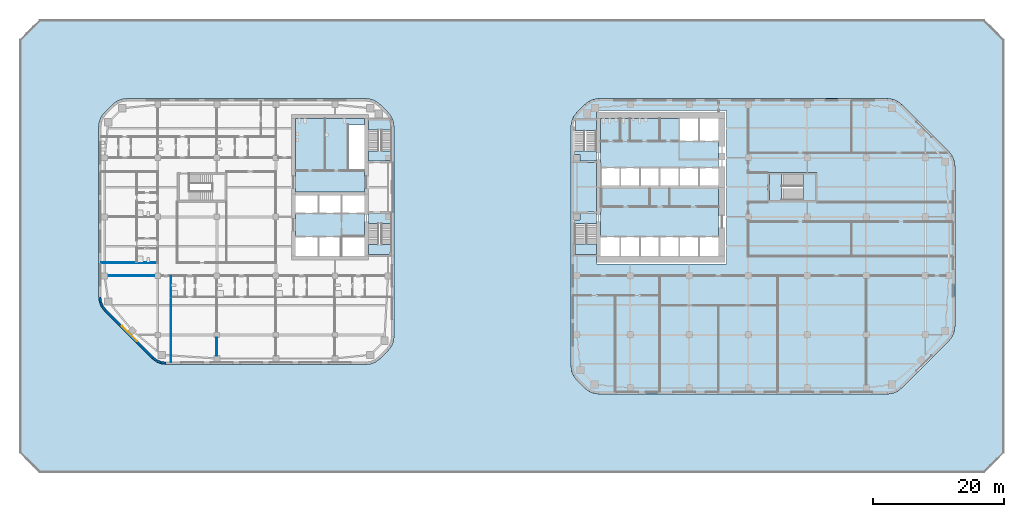
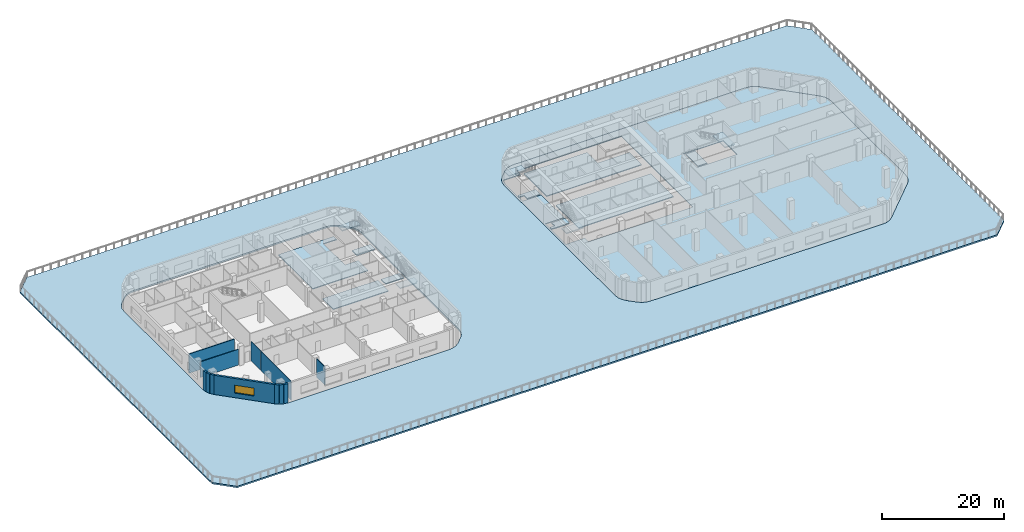
# One storey, part 4 of 18: 16 slabs, 12 walls, 1 window, 1 opening, 5 elements without a shape of their own.
"""IFC4 building model written with IfcOpenShell, lengths in metres."""

from ifc_helpers import new_model, si_unit, direction, frame, frame_2d, origin, place, context, subcontext, project, spatial, polyline, rectangle, outline, extrude, material, layer, layer_set, type_object, element, fill, aggregate, save


model = new_model("IFC4")

# Units and contexts
model_context = context("Model", 3, precision=1e-05, world=origin(), true_north=direction((0.0, 1.0)))
body_context = subcontext(model_context, "Body", "Model", "MODEL_VIEW")
ifc_project = project(units=[si_unit("LENGTHUNIT", "METRE"), si_unit("AREAUNIT", "SQUARE_METRE"), si_unit("VOLUMEUNIT", "CUBIC_METRE"), si_unit("PLANEANGLEUNIT", "RADIAN"), si_unit("MASSUNIT", "GRAM", prefix="KILO")], contexts=[model_context])

# Site, building, storey
site_placement = place(None, origin())
site = spatial("IfcSite", under=ifc_project, at=site_placement, CompositionType="ELEMENT")
building_placement = place(site_placement, origin())
building = spatial("IfcBuilding", under=site, at=building_placement, Name="Cinnabar Reach Civic Tower", CompositionType="ELEMENT")
storey_placement = place(building_placement, frame((0.0, 0.0, 26.0)))
storey = spatial("IfcBuildingStorey", under=building, at=storey_placement, Name="L05", CompositionType="ELEMENT", Elevation=26.0)

# Slab
ifc_material_1 = material(Name="Concrete C40", Category="concrete")
ifc_layer_1 = layer(ifc_material_1, 0.15)
ifc_layer_set_1 = layer_set([ifc_layer_1], Name="Composite floor slab 150 REI 150")
slab_type_1 = type_object("IfcSlabType", Name="Composite floor slab 150 REI 150", PredefinedType="FLOOR", material=ifc_layer_set_1)
slab_1_placement = place(storey_placement, frame((0.0, 0.0, -0.15)))
element("IfcSlab", 1, at=slab_1_placement, inside=storey, type_object=slab_type_1, Name="Composite floor slab 150 T1 L05", PredefinedType="FLOOR", context=body_context, shape_type="SweptSolid", body=[
    extrude(outline(polyline([(0.8787, 2.1213), (0.4019, 2.7426), (0.1022, 3.4662), (0.0, 4.2426), (0.0, 40.7574), (0.1022, 41.5338), (0.4019, 42.2574), (0.8787, 42.8787), (2.1213, 44.1213), (2.7426, 44.5981), (3.4662, 44.8978), (4.2426, 45.0), (48.2574, 45.0), (49.0338, 44.8978), (49.7574, 44.5981), (50.3787, 44.1213), (57.6213, 36.8787), (58.0981, 36.2574), (58.3978, 35.5338), (58.5, 34.7574), (58.5, 10.2426), (58.3978, 9.4662), (58.0981, 8.7426), (57.6213, 8.1213), (50.3787, 0.8787), (49.7574, 0.4019), (49.0338, 0.1022), (48.2574, 0.0), (4.2426, 0.0), (3.4662, 0.1022), (2.7426, 0.4019), (2.1213, 0.8787), (0.8787, 2.1213)]), holes=[polyline([(0.36, 21.0), (3.9, 21.0), (3.9, 19.8), (23.7, 19.8), (23.7, 43.2), (3.9, 43.2), (3.9, 42.0), (0.685, 42.0), (0.453, 41.4398), (0.36, 40.7338), (0.36, 35.25), (3.9, 35.25), (3.9, 27.75), (0.36, 27.75), (0.36, 21.0)]), polyline([(30.0, 33.75), (30.0, 29.25), (37.5, 29.25), (37.5, 33.75), (30.0, 33.75)])]), origin(), (0.0, 0.0, 1.0), 0.15),
])

# Stair, slabs
ifc_material_2 = material(Name="Concrete C40/50", Category="concrete")
stair_type_1 = type_object("IfcStairType", Name="T1 Exit stair, half-turn", PredefinedType="HALF_TURN_STAIR", material=ifc_material_2)
stair_1_placement = place(storey_placement, origin())
stair_1 = element("IfcStair", 2, at=stair_1_placement, inside=storey, type_object=stair_type_1, Name="Stair T1-S1", PredefinedType="HALF_TURN_STAIR")
ifc_layer_2 = layer(ifc_material_2, 0.2)
ifc_layer_set_2 = layer_set([ifc_layer_2], Name="T1 Stair landing 200, Concrete C40/50")
slab_type_2 = type_object("IfcSlabType", Name="T1 Stair landing 200, Concrete C40/50", PredefinedType="LANDING", material=ifc_layer_set_2)
slab_2_placement = place(storey_placement, frame((0.0, 0.0, -0.2)))
slab_2 = element("IfcSlab", 3, at=slab_2_placement, type_object=slab_type_2, Name="T1-S1 landing 1", PredefinedType="LANDING", context=body_context, shape_type="SweptSolid", body=[
    extrude(outline(polyline([(3.9, 27.5), (3.9, 25.95), (0.5, 25.95), (0.5, 26.5), (1.4, 26.5), (1.4, 27.5), (3.9, 27.5)])), origin(), (0.0, 0.0, 1.0), 0.2),
])
slab_3_placement = place(storey_placement, frame((0.0, 0.0, 1.8)))
slab_3 = element("IfcSlab", 4, at=slab_3_placement, type_object=slab_type_2, Name="T1-S1 landing 2", PredefinedType="LANDING", context=body_context, shape_type="SweptSolid", body=[
    extrude(outline(polyline([(0.6, 21.25), (0.6, 22.87), (3.9, 22.87), (3.9, 21.25), (0.6, 21.25)])), origin(), (0.0, 0.0, 1.0), 0.2),
])
aggregate(stair_1, [slab_2, slab_3])

stair_2_placement = place(storey_placement, origin())
stair_2 = element("IfcStair", 5, at=stair_2_placement, inside=storey, type_object=stair_type_1, Name="Stair T1-S2", PredefinedType="HALF_TURN_STAIR")
slab_4_placement = place(storey_placement, frame((0.0, 0.0, -0.2)))
slab_4 = element("IfcSlab", 6, at=slab_4_placement, type_object=slab_type_2, Name="T1-S2 landing 1", PredefinedType="LANDING", context=body_context, shape_type="SweptSolid", body=[
    extrude(outline(polyline([(0.5, 37.05), (3.9, 37.05), (3.9, 35.5), (1.4, 35.5), (1.4, 36.5), (0.5, 36.5), (0.5, 37.05)])), origin(), (0.0, 0.0, 1.0), 0.2),
])
slab_5_placement = place(storey_placement, frame((0.0, 0.0, 1.8)))
slab_5 = element("IfcSlab", 7, at=slab_5_placement, type_object=slab_type_2, Name="T1-S2 landing 2", PredefinedType="LANDING", context=body_context, shape_type="SweptSolid", body=[
    extrude(outline(polyline([(0.6, 40.13), (0.6, 41.75), (3.9, 41.75), (3.9, 40.13), (0.6, 40.13)])), origin(), (0.0, 0.0, 1.0), 0.2),
])
aggregate(stair_2, [slab_4, slab_5])

stair_3_placement = place(storey_placement, origin())
stair_3 = element("IfcStair", 8, at=stair_3_placement, inside=storey, type_object=stair_type_1, Name="Stair T1-S3", PredefinedType="HALF_TURN_STAIR")
slab_6_placement = place(storey_placement, frame((0.0, 0.0, -0.2)))
slab_6 = element("IfcSlab", 9, at=slab_6_placement, type_object=slab_type_2, Name="T1-S3 landing 1", PredefinedType="LANDING", context=body_context, shape_type="SweptSolid", body=[
    extrude(outline(polyline([(30.25, 29.5), (32.05, 29.5), (32.05, 33.5), (30.25, 33.5), (30.25, 29.5)])), origin(), (0.0, 0.0, 1.0), 0.2),
])
slab_7_placement = place(storey_placement, frame((0.0, 0.0, 1.8)))
slab_7 = element("IfcSlab", 10, at=slab_7_placement, type_object=slab_type_2, Name="T1-S3 landing 2", PredefinedType="LANDING", context=body_context, shape_type="SweptSolid", body=[
    extrude(outline(polyline([(35.35, 29.5), (37.25, 29.5), (37.25, 33.5), (35.35, 33.5), (35.35, 29.5)])), origin(), (0.0, 0.0, 1.0), 0.2),
])
aggregate(stair_3, [slab_6, slab_7])

# Slabs
ifc_layer_3 = layer(ifc_material_2, 0.15)
ifc_layer_set_3 = layer_set([ifc_layer_3], Name="T1 core floor slab 150")
slab_type_3 = type_object("IfcSlabType", Name="T1 core floor slab 150", PredefinedType="FLOOR", material=ifc_layer_set_3)
slab_8_placement = place(storey_placement, frame((0.0, 0.0, -0.15)))
element("IfcSlab", 11, at=slab_8_placement, inside=storey, type_object=slab_type_3, Name="Core floor slab L05", PredefinedType="FLOOR", context=body_context, shape_type="SweptSolid", body=[
    extrude(outline(polyline([(22.5, 24.0), (19.5, 24.0), (16.5, 24.0), (13.5, 24.0), (10.5, 24.0), (7.5, 24.0), (4.5, 24.0), (4.5, 31.5), (7.5, 31.5), (10.5, 31.5), (13.5, 31.5), (16.5, 31.5), (19.5, 31.5), (22.5, 31.5), (22.5, 24.0)])), origin(), (0.0, 0.0, 1.0), 0.15),
])
slab_9_placement = place(storey_placement, frame((0.0, 0.0, -0.15)))
element("IfcSlab", 12, at=slab_9_placement, inside=storey, type_object=slab_type_3, Name="Core floor slab L05", PredefinedType="FLOOR", context=body_context, shape_type="SweptSolid", body=[
    extrude(outline(polyline([(22.5, 34.5), (19.5, 34.5), (16.5, 34.5), (13.5, 34.5), (10.5, 34.5), (7.5, 34.5), (4.5, 34.5), (4.5, 42.0), (16.5, 42.0), (16.5, 38.5), (19.5, 38.5), (22.5, 38.5), (22.5, 34.5)])), origin(), (0.0, 0.0, 1.0), 0.15),
])
ifc_layer_4 = layer(ifc_material_1, 0.15)
ifc_layer_set_4 = layer_set([ifc_layer_4], Name="T2 Core floor slab 150")
slab_type_4 = type_object("IfcSlabType", Name="T2 Core floor slab 150", PredefinedType="FLOOR", material=ifc_layer_set_4)
slab_10_placement = place(storey_placement, frame((0.0, 0.0, -0.15)))
element("IfcSlab", 13, at=slab_10_placement, inside=storey, type_object=slab_type_4, Name="Core floor slab L05", PredefinedType="FLOOR", context=body_context, shape_type="SweptSolid", body=[
    extrude(outline(polyline([(-42.0, 42.0), (-31.5, 42.0), (-31.5, 41.0), (-34.0, 41.0), (-34.0, 34.0), (-31.5, 34.0), (-31.5, 30.75), (-42.0, 30.75), (-42.0, 42.0)])), origin(), (0.0, 0.0, 1.0), 0.15),
])
slab_11_placement = place(storey_placement, frame((0.0, 0.0, -0.15)))
element("IfcSlab", 14, at=slab_11_placement, inside=storey, type_object=slab_type_4, Name="Core floor slab L05", PredefinedType="FLOOR", context=body_context, shape_type="SweptSolid", body=[
    extrude(outline(polyline([(-35.0, 24.0), (-38.5, 24.0), (-42.0, 24.0), (-42.0, 27.5), (-38.5, 27.5), (-35.0, 27.5), (-31.5, 27.5), (-31.5, 24.0), (-35.0, 24.0)])), origin(), (0.0, 0.0, 1.0), 0.15),
])

# Stair, slabs
stair_type_2 = type_object("IfcStairType", Name="T2 Exit stair 1500", PredefinedType="HALF_TURN_STAIR", material=ifc_material_1)
stair_4_placement = place(storey_placement, origin())
stair_4 = element("IfcStair", 15, at=stair_4_placement, inside=storey, type_object=stair_type_2, Name="Exit stair 1", PredefinedType="HALF_TURN_STAIR")
ifc_layer_5 = layer(ifc_material_1, 0.2)
ifc_layer_set_5 = layer_set([ifc_layer_5], Name="T2 Stair landing 200")
slab_type_5 = type_object("IfcSlabType", Name="T2 Stair landing 200", PredefinedType="LANDING", material=ifc_layer_set_5)
slab_12_placement = place(storey_placement, frame((0.0, 0.0, -0.2)))
slab_12 = element("IfcSlab", 16, at=slab_12_placement, type_object=slab_type_5, Name="ST1 landing 1", PredefinedType="LANDING", context=body_context, shape_type="SweptSolid", body=[
    extrude(outline(polyline([(-30.9, 26.0), (-30.9, 27.5), (-27.4, 27.5), (-27.4, 26.0), (-30.9, 26.0)])), origin(), (0.0, 0.0, 1.0), 0.2),
])
slab_13_placement = place(storey_placement, frame((0.0, 0.0, 1.8)))
slab_13 = element("IfcSlab", 17, at=slab_13_placement, type_object=slab_type_5, Name="ST1 landing 2", PredefinedType="LANDING", context=body_context, shape_type="SweptSolid", body=[
    extrude(outline(polyline([(-30.9, 21.25), (-30.9, 22.75), (-27.4, 22.75), (-27.4, 21.55), (-27.7, 21.55), (-27.7, 21.25), (-30.9, 21.25)])), origin(), (0.0, 0.0, 1.0), 0.2),
])
aggregate(stair_4, [slab_12, slab_13])

stair_5_placement = place(storey_placement, origin())
stair_5 = element("IfcStair", 18, at=stair_5_placement, inside=storey, type_object=stair_type_2, Name="Exit stair 2", PredefinedType="HALF_TURN_STAIR")
slab_14_placement = place(storey_placement, frame((0.0, 0.0, -0.2)))
slab_14 = element("IfcSlab", 19, at=slab_14_placement, type_object=slab_type_5, Name="ST2 landing 1", PredefinedType="LANDING", context=body_context, shape_type="SweptSolid", body=[
    extrude(outline(polyline([(-30.9, 35.5), (-30.9, 37.0), (-27.4, 37.0), (-27.4, 35.5), (-30.9, 35.5)])), origin(), (0.0, 0.0, 1.0), 0.2),
])
slab_15_placement = place(storey_placement, frame((0.0, 0.0, 1.8)))
slab_15 = element("IfcSlab", 20, at=slab_15_placement, type_object=slab_type_5, Name="ST2 landing 2", PredefinedType="LANDING", context=body_context, shape_type="SweptSolid", body=[
    extrude(outline(polyline([(-27.4, 40.25), (-30.9, 40.25), (-30.9, 41.75), (-27.7, 41.75), (-27.7, 41.45), (-27.4, 41.45), (-27.4, 40.25)])), origin(), (0.0, 0.0, 1.0), 0.2),
])
aggregate(stair_5, [slab_14, slab_15])

# Slab
ifc_layer_6 = layer(ifc_material_1, 0.3)
ifc_layer_set_6 = layer_set([ifc_layer_6], Name="Terrace slab 300 REI 150")
slab_type_6 = type_object("IfcSlabType", Name="Terrace slab 300 REI 150", PredefinedType="FLOOR", material=ifc_layer_set_6)
slab_16_placement = place(storey_placement, frame((0.0, 0.0, -0.3)))
element("IfcSlab", 21, at=slab_16_placement, inside=storey, type_object=slab_type_6, Name="Terrace slab T1 L05 1", PredefinedType="FLOOR", context=body_context, shape_type="SweptSolid", body=[
    extrude(outline(polyline([(-84.0, -9.0), (-84.0, 54.0), (-84.0, 54.0), (-81.0, 57.0), (-81.0, 57.0), (63.0, 57.0), (63.0, 57.0), (66.0, 54.0), (66.0, 54.0), (66.0, -9.0), (66.0, -9.0), (63.0, -12.0), (63.0, -12.0), (-81.0, -12.0), (-81.0, -12.0), (-84.0, -9.0), (-84.0, -9.0)]), holes=[polyline([(3.4662, 0.1022), (4.2426, 0.0), (48.2574, 0.0), (49.0338, 0.1022), (49.7574, 0.4019), (50.3787, 0.8787), (57.6213, 8.1213), (58.0981, 8.7426), (58.3978, 9.4662), (58.5, 10.2426), (58.5, 34.7574), (58.3978, 35.5338), (58.0981, 36.2574), (57.6213, 36.8787), (50.3787, 44.1213), (49.7574, 44.5981), (49.0338, 44.8978), (48.2574, 45.0), (4.2426, 45.0), (3.4662, 44.8978), (2.7426, 44.5981), (2.1213, 44.1213), (0.8787, 42.8787), (0.4019, 42.2574), (0.1022, 41.5338), (0.0, 40.7574), (0.0, 4.2426), (0.1022, 3.4662), (0.4019, 2.7426), (0.8787, 2.1213), (2.1213, 0.8787), (2.7426, 0.4019), (3.4662, 0.1022)]), polyline([(-63.2574, 4.9019), (-62.5338, 4.6022), (-61.7574, 4.5), (-31.2426, 4.5), (-30.4662, 4.6022), (-29.7426, 4.9019), (-29.1213, 5.3787), (-27.8787, 6.6213), (-27.4019, 7.2426), (-27.1022, 7.9662), (-27.0, 8.7426), (-27.0, 40.7574), (-27.1022, 41.5338), (-27.4019, 42.2574), (-27.8787, 42.8787), (-29.1213, 44.1213), (-29.7426, 44.5981), (-30.4662, 44.8978), (-31.2426, 45.0), (-67.7574, 45.0), (-68.5338, 44.8978), (-69.2574, 44.5981), (-69.8787, 44.1213), (-71.1213, 42.8787), (-71.5981, 42.2574), (-71.8978, 41.5338), (-72.0, 40.7574), (-72.0, 14.7426), (-71.8978, 13.9662), (-71.5981, 13.2426), (-71.1213, 12.6213), (-63.8787, 5.3787), (-63.2574, 4.9019)])]), origin(), (0.0, 0.0, 1.0), 0.3),
])

# Walls
ifc_material_3 = material(Name="Facing brick with insulated backing", Category="masonry")
ifc_layer_7 = layer(ifc_material_3, 0.36)
ifc_layer_set_7 = layer_set([ifc_layer_7], Name="Brick corner wall")
wall_type_1 = type_object("IfcWallType", Name="Brick corner wall", PredefinedType="STANDARD", material=ifc_layer_set_7)
for number, where, z_axis, x_axis, name in (
    (22, (-71.817, 14.7314, 0.0), (0.0, 0.0, 1.0), (0.13055608231, -0.99144092581, 0.0), "Brick corner wall"),
    (23, (-71.7181, 14.0027, 0.0), (0.0, 0.0, 1.0), (0.382702709855, -0.923871547278, 0.0), "Brick corner wall"),
):
    element("IfcWall", number, at=place(storey_placement, frame(where, z_axis=z_axis, x_axis=x_axis)), inside=storey, type_object=wall_type_1, Name=name, PredefinedType="STANDARD", context=body_context, shape_type="SweptSolid", body=[
        extrude(rectangle(XDim=0.7131, YDim=0.36, at=frame_2d((0.3565, 0.0))), origin(), (0.0, 0.0, 1.0), 3.85),
    ])
for number, where, z_axis, x_axis, name in (
    (24, (-71.434, 13.3245, 0.0), (0.0, 0.0, 1.0), (0.608802368033, -0.793321924995, 0.0), "Brick corner wall"),
    (25, (-63.7413, 5.5002, 0.0), (0.0, 0.0, 1.0), (0.793321924995, -0.608802368033, 0.0), "Brick corner wall"),
):
    element("IfcWall", number, at=place(storey_placement, frame(where, z_axis=z_axis, x_axis=x_axis)), inside=storey, type_object=wall_type_1, Name=name, PredefinedType="STANDARD", context=body_context, shape_type="SweptSolid", body=[
        extrude(rectangle(XDim=0.7132, YDim=0.36, at=frame_2d((0.3566, 0.0))), origin(), (0.0, 0.0, 1.0), 3.85),
    ])
for number, where, z_axis, x_axis, name in (
    (26, (-63.1561, 5.0548, 0.0), (0.0, 0.0, 1.0), (0.923871547278, -0.382702709855, 0.0), "Brick corner wall"),
    (27, (-62.4756, 4.7761, 0.0), (0.0, 0.0, 1.0), (0.99144092581, -0.13055608231, 0.0), "Brick corner wall"),
):
    element("IfcWall", number, at=place(storey_placement, frame(where, z_axis=z_axis, x_axis=x_axis)), inside=storey, type_object=wall_type_1, Name=name, PredefinedType="STANDARD", context=body_context, shape_type="SweptSolid", body=[
        extrude(rectangle(XDim=0.7131, YDim=0.36, at=frame_2d((0.3565, 0.0))), origin(), (0.0, 0.0, 1.0), 3.85),
    ])

# Wall, opening, window
ifc_layer_8 = layer(ifc_material_3, 0.36)
ifc_layer_set_8 = layer_set([ifc_layer_8], Name="Brick pier and spandrel wall")
wall_type_2 = type_object("IfcWallType", Name="Brick pier and spandrel wall", PredefinedType="STANDARD", material=ifc_layer_set_8)
wall_1_placement = place(storey_placement, frame((-70.994, 12.7486, 0.0), z_axis=(0.0, 0.0, 1.0), x_axis=(0.707106781187, -0.707106781187, 0.0)))
wall_1 = element("IfcWall", 28, at=wall_1_placement, inside=storey, type_object=wall_type_2, Name="Brick facade wall", PredefinedType="STANDARD", context=body_context, shape_type="SweptSolid", body=[
    extrude(rectangle(XDim=10.2426, YDim=0.36, at=frame_2d((5.1213, 0.0))), origin(), (0.0, 0.0, 1.0), 3.85),
])
opening_placement = place(wall_1_placement, frame((3.4713, 0.0, 0.9)))
opening = element("IfcOpeningElement", 29, at=opening_placement, cuts=wall_1, Name="Opening W2371", PredefinedType="OPENING", context=body_context, shape_type="SweptSolid", body=[
    extrude(rectangle(XDim=3.3, YDim=1.6, at=frame_2d((1.65, 0.8))), frame((0.0, 0.19, 0.0), z_axis=(0.0, -1.0, 0.0), x_axis=(1.0, 0.0, 0.0)), (0.0, 0.0, 1.0), 0.38),
])
ifc_material_4 = material(Name="Clear double glazing in aluminium frame", Category="aluminium")
window_type = type_object("IfcWindowType", Name="Deep-set window A", PartitioningType="SINGLE_PANEL", PredefinedType="WINDOW", material=ifc_material_4)
window_placement = place(opening_placement, origin())
window = element("IfcWindow", 30, at=window_placement, inside=storey, type_object=window_type, Name="Window southwest face", OverallHeight=1.6, OverallWidth=3.3, PartitioningType="SINGLE_PANEL", PredefinedType="WINDOW", context=body_context, shape_type="SweptSolid", body=[
    extrude(rectangle(XDim=3.3, YDim=1.6, at=frame_2d((1.65, 0.8))), frame((0.0, 0.13, 0.0), z_axis=(0.0, -1.0, 0.0), x_axis=(1.0, 0.0, 0.0)), (0.0, 0.0, 1.0), 0.06),
])
fill(opening, window)

# Walls
ifc_material_5 = material(Name="Gypsum board on steel studs, double layer", Category="steel")
ifc_layer_9 = layer(ifc_material_5, 0.15)
ifc_layer_set_9 = layer_set([ifc_layer_9], Name="Corridor wall 150 T2")
wall_type_3 = type_object("IfcWallType", Name="Corridor wall 150 T2", PredefinedType="PARTITIONING", material=ifc_layer_set_9)
wall_2_placement = place(storey_placement, frame((-70.65, 18.0, 0.0), z_axis=(0.0, 0.0, 1.0), x_axis=(1.0, 0.0, 0.0)))
element("IfcWall", 31, at=wall_2_placement, inside=storey, type_object=wall_type_3, Name="Corridor wall 5", PredefinedType="PARTITIONING", context=body_context, shape_type="SweptSolid", body=[
    extrude(rectangle(XDim=7.25, YDim=0.15, at=frame_2d((3.625, 0.0))), origin(), (0.0, 0.0, 1.0), 3.15),
])
wall_3_placement = place(storey_placement, frame((-71.64, 20.0, 0.0), z_axis=(0.0, 0.0, 1.0), x_axis=(1.0, 0.0, 0.0)))
element("IfcWall", 32, at=wall_3_placement, inside=storey, type_object=wall_type_3, Name="Corridor wall 16", PredefinedType="PARTITIONING", context=body_context, shape_type="SweptSolid", body=[
    extrude(rectangle(XDim=8.565, YDim=0.15, at=frame_2d((4.2825, 0.0))), origin(), (0.0, 0.0, 1.0), 3.85),
])
ifc_material_6 = material(Name="Gypsum board on steel studs", Category="steel")
ifc_layer_10 = layer(ifc_material_6, 0.1)
ifc_layer_set_10 = layer_set([ifc_layer_10], Name="Partition wall 100 T2")
wall_type_4 = type_object("IfcWallType", Name="Partition wall 100 T2", PredefinedType="PARTITIONING", material=ifc_layer_set_10)
wall_4_placement = place(storey_placement, frame((-61.0, 14.85, 0.0), z_axis=(0.0, 0.0, 1.0), x_axis=(0.0, 1.0, 0.0)))
element("IfcWall", 33, at=wall_4_placement, inside=storey, type_object=wall_type_4, Name="Partition wall 37", PredefinedType="PARTITIONING", context=body_context, shape_type="SweptSolid", body=[
    extrude(rectangle(XDim=3.075, YDim=0.1, at=frame_2d((1.5375, 0.0))), origin(), (0.0, 0.0, 1.0), 3.85),
])
wall_5_placement = place(storey_placement, frame((-61.0, 4.86, 0.0), z_axis=(0.0, 0.0, 1.0), x_axis=(0.0, 1.0, 0.0)))
element("IfcWall", 34, at=wall_5_placement, inside=storey, type_object=wall_type_4, Name="Partition wall 38", PredefinedType="PARTITIONING", context=body_context, shape_type="SweptSolid", body=[
    extrude(rectangle(XDim=9.89, YDim=0.1, at=frame_2d((4.945, 0.0))), origin(), (0.0, 0.0, 1.0), 3.85),
])
ifc_layer_11 = layer(ifc_material_5, 0.15)
ifc_layer_set_11 = layer_set([ifc_layer_11], Name="Tenancy separating wall 150 T2")
wall_type_5 = type_object("IfcWallType", Name="Tenancy separating wall 150 T2", PredefinedType="PARTITIONING", material=ifc_layer_set_11)
wall_6_placement = place(storey_placement, frame((-54.0, 5.85, 0.0), z_axis=(0.0, 0.0, 1.0), x_axis=(0.0, 1.0, 0.0)))
element("IfcWall", 35, at=wall_6_placement, inside=storey, type_object=wall_type_5, Name="Tenancy separating wall 20", PredefinedType="PARTITIONING", context=body_context, shape_type="SweptSolid", body=[
    extrude(rectangle(XDim=2.75, YDim=0.15, at=frame_2d((1.375, 0.0))), origin(), (0.0, 0.0, 1.0), 3.652),
])

save(model, "model.ifc")
